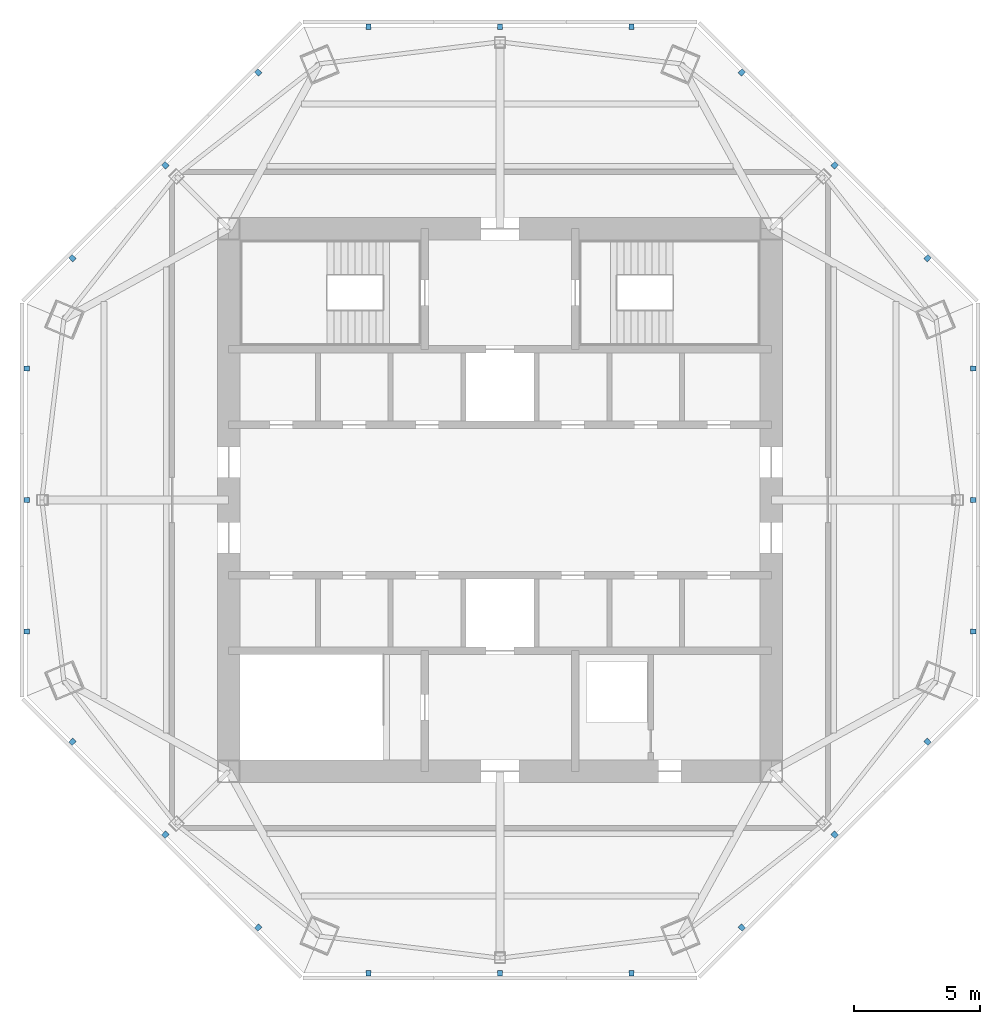
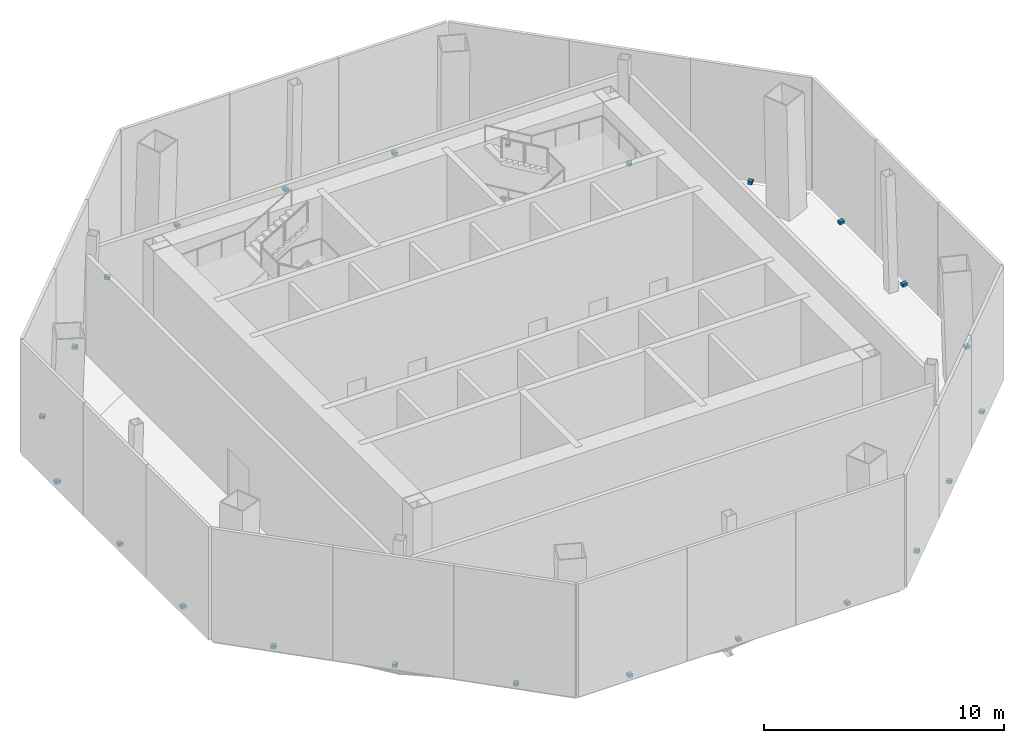
# One storey, part 4 of 6: 24 discrete accessories.
"""IFC4 building model written with IfcOpenShell, lengths in metres."""

from ifc_helpers import new_model, si_unit, direction, frame, origin, origin_2d, place, context, subcontext, project, spatial, rectangle, extrude, source, transform, mapped, material, type_object, type_shapes, element, save


model = new_model("IFC4")

# Units and contexts
model_context = context("Model", 3, precision=1e-05, world=origin(), true_north=direction((0.0, 1.0)))
body_context = subcontext(model_context, "Body", "Model", "MODEL_VIEW")
ifc_project = project(units=[si_unit("LENGTHUNIT", "METRE"), si_unit("AREAUNIT", "SQUARE_METRE"), si_unit("VOLUMEUNIT", "CUBIC_METRE"), si_unit("PLANEANGLEUNIT", "RADIAN"), si_unit("MASSUNIT", "GRAM", prefix="KILO")], contexts=[model_context])

# Site, building, storey
site_placement = place(None, origin())
site = spatial("IfcSite", under=ifc_project, at=site_placement, CompositionType="ELEMENT")
building_placement = place(site_placement, origin())
building = spatial("IfcBuilding", under=site, at=building_placement, Name="Mashrafa Tower", CompositionType="ELEMENT")
storey_placement = place(building_placement, frame((0.0, 0.0, 317.60009765625)))
storey = spatial("IfcBuildingStorey", under=building, at=storey_placement, Name="L78", CompositionType="ELEMENT", Elevation=317.60009765625)

# Discrete accessories
ifc_material = material(Name="Galvanised steel louvre bracket", Category="steel")
discrete_accessory_type = type_object("IfcDiscreteAccessoryType", Name="Louvre support bracket 200 x 150", PredefinedType="BRACKET", material=ifc_material)
shared_shape = source(origin(), body_context, "Body", "SweptSolid", [
    extrude(rectangle(XDim=0.199951171875, YDim=0.22509765625, at=origin_2d()), origin(), (0.0, 0.0, 1.0), 0.14990234375),
])
type_shapes(discrete_accessory_type, [shared_shape])
for number, where, z_axis, x_axis, name in (
    (1, (18.8427734375, -5.227783203125, 0.0), (0.0, 0.0, 1.0), (0.0, 1.0, 0.0), "Louvre support bracket L78 east 1"),
    (2, (18.8427734375, 0.0, 0.0), (0.0, 0.0, 1.0), (0.0, 1.0, 0.0), "Louvre support bracket L78 east 2"),
    (3, (18.8427734375, 5.227783203125, 0.0), (0.0, 0.0, 1.0), (0.0, 1.0, 0.0), "Louvre support bracket L78 east 3"),
    (4, (17.020263671875, 9.627197265625, 0.0), (0.0, 0.0, 1.0), (-0.707106781187, 0.707106781187, 0.0), "Louvre support bracket L78 north-east 1"),
    (5, (13.32373046875, 13.32373046875, 0.0), (0.0, 0.0, 1.0), (-0.707106781187, 0.707106781187, 0.0), "Louvre support bracket L78 north-east 2"),
    (6, (9.627197265625, 17.020263671875, 0.0), (0.0, 0.0, 1.0), (-0.707106781187, 0.707106781187, 0.0), "Louvre support bracket L78 north-east 3"),
    (7, (5.227783203125, 18.8427734375, 0.0), (0.0, 0.0, 1.0), (-1.0, 0.0, 0.0), "Louvre support bracket L78 north 1"),
    (8, (0.0, 18.8427734375, 0.0), (0.0, 0.0, 1.0), (-1.0, 0.0, 0.0), "Louvre support bracket L78 north 2"),
    (9, (-5.227783203125, 18.8427734375, 0.0), (0.0, 0.0, 1.0), (-1.0, 0.0, 0.0), "Louvre support bracket L78 north 3"),
    (10, (-9.627197265625, 17.020263671875, 0.0), (0.0, 0.0, 1.0), (-0.707106781187, -0.707106781187, 0.0), "Louvre support bracket L78 north-west 1"),
    (11, (-13.32373046875, 13.32373046875, 0.0), (0.0, 0.0, 1.0), (-0.707106781187, -0.707106781187, 0.0), "Louvre support bracket L78 north-west 2"),
    (12, (-17.020263671875, 9.627197265625, 0.0), (0.0, 0.0, 1.0), (-0.707106781187, -0.707106781187, 0.0), "Louvre support bracket L78 north-west 3"),
    (13, (-18.8427734375, 5.227783203125, 0.0), (0.0, 0.0, 1.0), (0.0, -1.0, 0.0), "Louvre support bracket L78 west 1"),
    (14, (-18.8427734375, 0.0, 0.0), (0.0, 0.0, 1.0), (0.0, -1.0, 0.0), "Louvre support bracket L78 west 2"),
    (15, (-18.8427734375, -5.227783203125, 0.0), (0.0, 0.0, 1.0), (0.0, -1.0, 0.0), "Louvre support bracket L78 west 3"),
    (16, (-17.020263671875, -9.627197265625, 0.0), (0.0, 0.0, 1.0), (0.707106781187, -0.707106781187, 0.0), "Louvre support bracket L78 south-west 1"),
    (17, (-13.32373046875, -13.32373046875, 0.0), (0.0, 0.0, 1.0), (0.707106781187, -0.707106781187, 0.0), "Louvre support bracket L78 south-west 2"),
    (18, (-9.627197265625, -17.020263671875, 0.0), (0.0, 0.0, 1.0), (0.707106781187, -0.707106781187, 0.0), "Louvre support bracket L78 south-west 3"),
    (19, (-5.227783203125, -18.8427734375, 0.0), (0.0, 0.0, 1.0), (1.0, 0.0, 0.0), "Louvre support bracket L78 south 1"),
    (20, (0.0, -18.8427734375, 0.0), (0.0, 0.0, 1.0), (1.0, 0.0, 0.0), "Louvre support bracket L78 south 2"),
    (21, (5.227783203125, -18.8427734375, 0.0), (0.0, 0.0, 1.0), (1.0, 0.0, 0.0), "Louvre support bracket L78 south 3"),
    (22, (9.627197265625, -17.020263671875, 0.0), (0.0, 0.0, 1.0), (0.707106781187, 0.707106781187, 0.0), "Louvre support bracket L78 south-east 1"),
    (23, (13.32373046875, -13.32373046875, 0.0), (0.0, 0.0, 1.0), (0.707106781187, 0.707106781187, 0.0), "Louvre support bracket L78 south-east 2"),
    (24, (17.020263671875, -9.627197265625, 0.0), (0.0, 0.0, 1.0), (0.707106781187, 0.707106781187, 0.0), "Louvre support bracket L78 south-east 3"),
):
    element("IfcDiscreteAccessory", number, at=place(storey_placement, frame(where, z_axis=z_axis, x_axis=x_axis)), inside=storey, type_object=discrete_accessory_type, Name=name, PredefinedType="BRACKET", context=body_context, shape_type="MappedRepresentation", body=[
        mapped(shared_shape, transform((0.0, 0.0, 0.0))),
    ])

save(model, "model.ifc")
